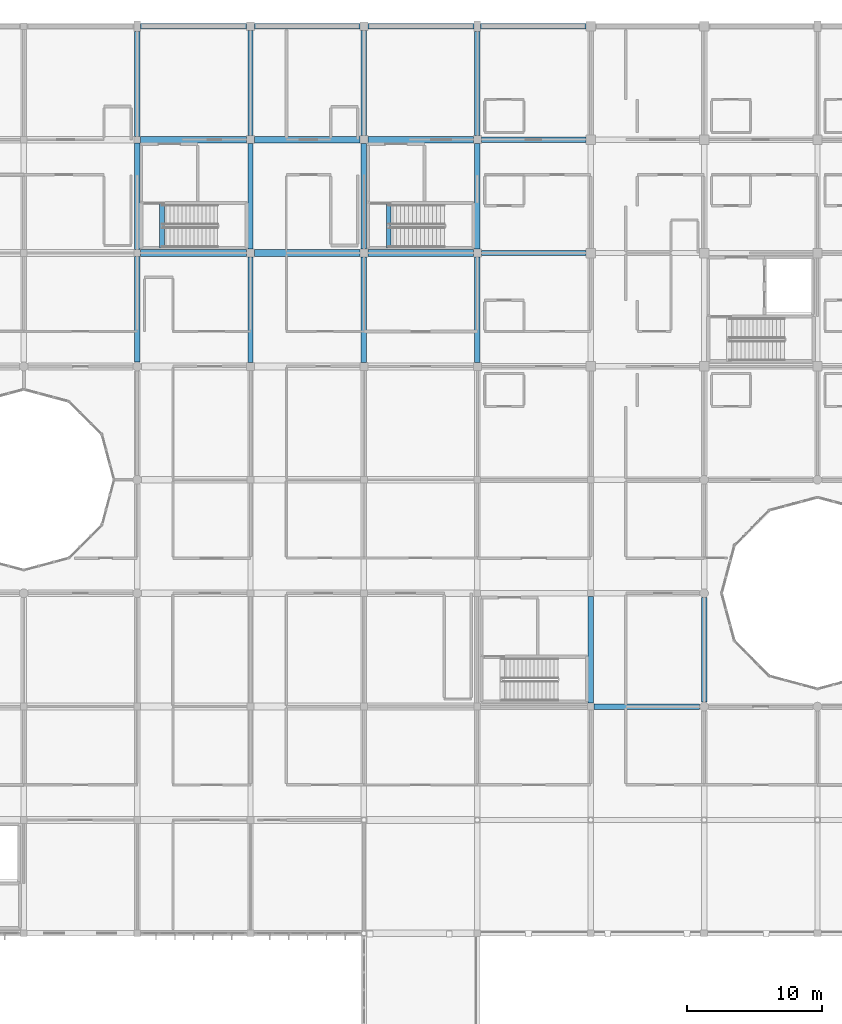
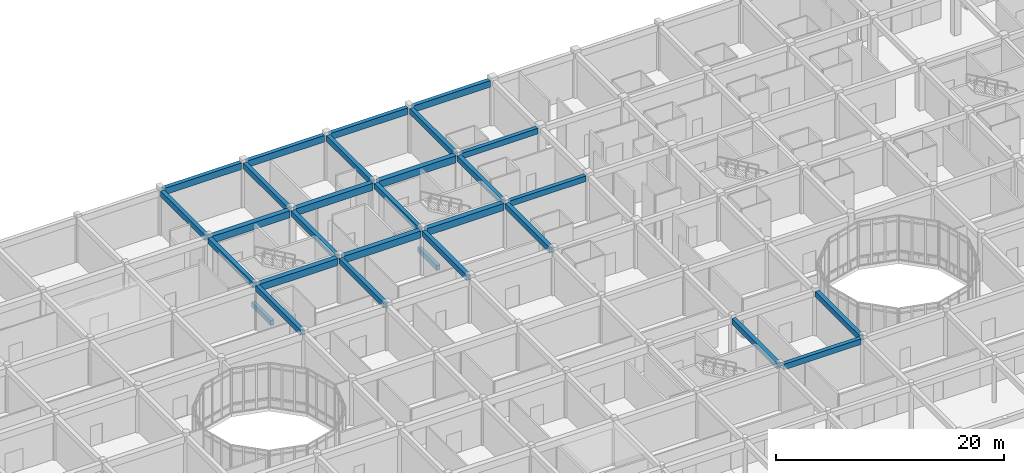
# One storey, part 41 of 134: 29 beams.
"""IFC4 building model written with IfcOpenShell, lengths in metres."""

from ifc_helpers import new_model, si_unit, direction, frame, origin, origin_2d, place, context, subcontext, project, spatial, rectangle, extrude, material, material_profile, profile_set, type_object, element, save


model = new_model("IFC4")

# Units and contexts
model_context = context("Model", 3, precision=1e-05, world=origin(), true_north=direction((0.0, 1.0)))
body_context = subcontext(model_context, "Body", "Model", "MODEL_VIEW")
ifc_project = project(units=[si_unit("LENGTHUNIT", "METRE"), si_unit("AREAUNIT", "SQUARE_METRE"), si_unit("VOLUMEUNIT", "CUBIC_METRE"), si_unit("PLANEANGLEUNIT", "RADIAN"), si_unit("MASSUNIT", "GRAM", prefix="KILO")], contexts=[model_context])

# Site, building, storey
site_placement = place(None, origin())
site = spatial("IfcSite", under=ifc_project, at=site_placement, CompositionType="ELEMENT")
building_placement = place(site_placement, origin())
building = spatial("IfcBuilding", under=site, at=building_placement, Name="Bramfleet General Hospital", CompositionType="ELEMENT")
storey_placement = place(building_placement, frame((0.0, 0.0, 9.300048828125)))
storey = spatial("IfcBuildingStorey", under=building, at=storey_placement, Name="L02", CompositionType="ELEMENT", Elevation=9.300048828125)

# Beams
ifc_material = material(Name="Concrete C35/45", Category="concrete")
ifc_material_profile_1 = material_profile(ifc_material, rectangle(XDim=0.35009765625, YDim=0.550048828125, at=origin_2d()), Name="RC BM 550x350")
ifc_profile_set_1 = profile_set([ifc_material_profile_1], Name="Concrete C35/45")
beam_type_1 = type_object("IfcBeamType", Name="BM-RC550", PredefinedType="BEAM", material=ifc_profile_set_1)
for number, where, z_axis, x_axis, name in (
    (1, (35.43994140625, 101.179931640625, -0.275146484375), (0.0, 1.0, 0.0), (-1.0, 0.0, 0.0), "L02 C8 Stairwell Trimmer Beam"),
    (2, (52.239990234375, 101.179931640625, -0.275146484375), (0.0, 1.0, 0.0), (-1.0, 0.0, 0.0), "L02 C14 Stairwell Trimmer Beam"),
):
    element("IfcBeam", number, at=place(storey_placement, frame(where, z_axis=z_axis, x_axis=x_axis)), inside=storey, type_object=beam_type_1, Name=name, PredefinedType="BEAM", context=body_context, shape_type="SweptSolid", body=[
        extrude(rectangle(XDim=0.35009765625, YDim=0.550048828125, at=origin_2d()), origin(), (0.0, 0.0, 1.0), 3.320068359375),
    ])
ifc_material_profile_2 = material_profile(ifc_material, rectangle(XDim=0.39990234375, YDim=0.60009765625, at=origin_2d()), Name="RC BM 600x400")
ifc_profile_set_2 = profile_set([ifc_material_profile_2], Name="Concrete C35/45")
beam_type_2 = type_object("IfcBeamType", Name="BM-RC600", PredefinedType="BEAM", material=ifc_profile_set_2)
for number, where, z_axis, x_axis, name in (
    (3, (59.10009765625, 100.800048828125, 4.47998046875), (1.0, 0.0, 0.0), (0.0, 1.0, 0.0), "L02 Grid Beam X 07-12"),
    (4, (59.10009765625, 109.199951171875, 4.47998046875), (1.0, 0.0, 0.0), (0.0, 1.0, 0.0), "L02 Grid Beam X 07-13"),
):
    element("IfcBeam", number, at=place(storey_placement, frame(where, z_axis=z_axis, x_axis=x_axis)), inside=storey, type_object=beam_type_2, Name=name, PredefinedType="BEAM", context=body_context, shape_type="SweptSolid", body=[
        extrude(rectangle(XDim=0.39990234375, YDim=0.60009765625, at=origin_2d()), origin(), (0.0, 0.0, 1.0), 7.75),
    ])
for number, where, z_axis, x_axis, name in (
    (5, (67.449951171875, 67.199951171875, 4.47998046875), (1.0, 0.0, 0.0), (0.0, 1.0, 0.0), "L02 Grid Beam X 08-08"),
    (6, (33.60009765625, 92.72509765625, 4.47998046875), (0.0, 1.0, 0.0), (-1.0, 0.0, 0.0), "L02 Grid Beam Y 04-11"),
):
    element("IfcBeam", number, at=place(storey_placement, frame(where, z_axis=z_axis, x_axis=x_axis)), inside=storey, type_object=beam_type_2, Name=name, PredefinedType="BEAM", context=body_context, shape_type="SweptSolid", body=[
        extrude(rectangle(XDim=0.39990234375, YDim=0.60009765625, at=origin_2d()), origin(), (0.0, 0.0, 1.0), 7.824951171875),
    ])
beam_1_placement = place(storey_placement, frame((33.60009765625, 101.050048828125, 4.47998046875), z_axis=(0.0, 1.0, 0.0), x_axis=(-1.0, 0.0, 0.0)))
element("IfcBeam", 7, at=beam_1_placement, inside=storey, type_object=beam_type_2, Name="L02 Grid Beam Y 04-12", PredefinedType="BEAM", context=body_context, shape_type="SweptSolid", body=[
    extrude(rectangle(XDim=0.39990234375, YDim=0.60009765625, at=origin_2d()), origin(), (0.0, 0.0, 1.0), 7.89990234375),
])
beam_2_placement = place(storey_placement, frame((33.60009765625, 109.449951171875, 4.47998046875), z_axis=(0.0, 1.0, 0.0), x_axis=(-1.0, 0.0, 0.0)))
element("IfcBeam", 8, at=beam_2_placement, inside=storey, type_object=beam_type_2, Name="L02 Grid Beam Y 04-13", PredefinedType="BEAM", context=body_context, shape_type="SweptSolid", body=[
    extrude(rectangle(XDim=0.39990234375, YDim=0.60009765625, at=origin_2d()), origin(), (0.0, 0.0, 1.0), 7.775146484375),
])
beam_3_placement = place(storey_placement, frame((42.0, 92.699951171875, 4.47998046875), z_axis=(0.0, 1.0, 0.0), x_axis=(-1.0, 0.0, 0.0)))
element("IfcBeam", 9, at=beam_3_placement, inside=storey, type_object=beam_type_2, Name="L02 Grid Beam Y 05-11", PredefinedType="BEAM", context=body_context, shape_type="SweptSolid", body=[
    extrude(rectangle(XDim=0.39990234375, YDim=0.60009765625, at=origin_2d()), origin(), (0.0, 0.0, 1.0), 7.800048828125),
])
beam_4_placement = place(storey_placement, frame((42.0, 101.10009765625, 4.47998046875), z_axis=(0.0, 1.0, 0.0), x_axis=(-1.0, 0.0, 0.0)))
element("IfcBeam", 10, at=beam_4_placement, inside=storey, type_object=beam_type_2, Name="L02 Grid Beam Y 05-12", PredefinedType="BEAM", context=body_context, shape_type="SweptSolid", body=[
    extrude(rectangle(XDim=0.39990234375, YDim=0.60009765625, at=origin_2d()), origin(), (0.0, 0.0, 1.0), 7.7998046875),
])
for number, where, z_axis, x_axis, name in (
    (11, (42.0, 109.5, 4.47998046875), (0.0, 1.0, 0.0), (-1.0, 0.0, 0.0), "L02 Grid Beam Y 05-13"),
    (12, (50.39990234375, 92.699951171875, 4.47998046875), (0.0, 1.0, 0.0), (-1.0, 0.0, 0.0), "L02 Grid Beam Y 06-11"),
):
    element("IfcBeam", number, at=place(storey_placement, frame(where, z_axis=z_axis, x_axis=x_axis)), inside=storey, type_object=beam_type_2, Name=name, PredefinedType="BEAM", context=body_context, shape_type="SweptSolid", body=[
        extrude(rectangle(XDim=0.39990234375, YDim=0.60009765625, at=origin_2d()), origin(), (0.0, 0.0, 1.0), 7.800048828125),
    ])
beam_5_placement = place(storey_placement, frame((50.39990234375, 101.10009765625, 4.47998046875), z_axis=(0.0, 1.0, 0.0), x_axis=(-1.0, 0.0, 0.0)))
element("IfcBeam", 13, at=beam_5_placement, inside=storey, type_object=beam_type_2, Name="L02 Grid Beam Y 06-12", PredefinedType="BEAM", context=body_context, shape_type="SweptSolid", body=[
    extrude(rectangle(XDim=0.39990234375, YDim=0.60009765625, at=origin_2d()), origin(), (0.0, 0.0, 1.0), 7.7998046875),
])
for number, where, z_axis, x_axis, name in (
    (14, (50.39990234375, 109.5, 4.47998046875), (0.0, 1.0, 0.0), (-1.0, 0.0, 0.0), "L02 Grid Beam Y 06-13"),
    (15, (58.800048828125, 92.699951171875, 4.47998046875), (0.0, 1.0, 0.0), (-1.0, 0.0, 0.0), "L02 Grid Beam Y 07-11"),
):
    element("IfcBeam", number, at=place(storey_placement, frame(where, z_axis=z_axis, x_axis=x_axis)), inside=storey, type_object=beam_type_2, Name=name, PredefinedType="BEAM", context=body_context, shape_type="SweptSolid", body=[
        extrude(rectangle(XDim=0.39990234375, YDim=0.60009765625, at=origin_2d()), origin(), (0.0, 0.0, 1.0), 7.800048828125),
    ])
beam_6_placement = place(storey_placement, frame((58.800048828125, 101.10009765625, 4.47998046875), z_axis=(0.0, 1.0, 0.0), x_axis=(-1.0, 0.0, 0.0)))
element("IfcBeam", 16, at=beam_6_placement, inside=storey, type_object=beam_type_2, Name="L02 Grid Beam Y 07-12", PredefinedType="BEAM", context=body_context, shape_type="SweptSolid", body=[
    extrude(rectangle(XDim=0.39990234375, YDim=0.60009765625, at=origin_2d()), origin(), (0.0, 0.0, 1.0), 7.7998046875),
])
beam_7_placement = place(storey_placement, frame((58.800048828125, 109.5, 4.47998046875), z_axis=(0.0, 1.0, 0.0), x_axis=(-1.0, 0.0, 0.0)))
element("IfcBeam", 17, at=beam_7_placement, inside=storey, type_object=beam_type_2, Name="L02 Grid Beam Y 07-13", PredefinedType="BEAM", context=body_context, shape_type="SweptSolid", body=[
    extrude(rectangle(XDim=0.39990234375, YDim=0.60009765625, at=origin_2d()), origin(), (0.0, 0.0, 1.0), 7.72509765625),
])
beam_8_placement = place(storey_placement, frame((67.199951171875, 67.449951171875, 4.47998046875), z_axis=(0.0, 1.0, 0.0), x_axis=(-1.0, 0.0, 0.0)))
element("IfcBeam", 18, at=beam_8_placement, inside=storey, type_object=beam_type_2, Name="L02 Grid Beam Y 08-08", PredefinedType="BEAM", context=body_context, shape_type="SweptSolid", body=[
    extrude(rectangle(XDim=0.39990234375, YDim=0.60009765625, at=origin_2d()), origin(), (0.0, 0.0, 1.0), 7.900146484375),
])
beam_9_placement = place(storey_placement, frame((75.60009765625, 67.52490234375, 4.47998046875), z_axis=(0.0, 1.0, 0.0), x_axis=(-1.0, 0.0, 0.0)))
element("IfcBeam", 19, at=beam_9_placement, inside=storey, type_object=beam_type_2, Name="L02 Grid Beam Y 09-08", PredefinedType="BEAM", context=body_context, shape_type="SweptSolid", body=[
    extrude(rectangle(XDim=0.39990234375, YDim=0.60009765625, at=origin_2d()), origin(), (0.0, 0.0, 1.0), 7.75),
])
ifc_material_profile_3 = material_profile(ifc_material, rectangle(XDim=0.5, YDim=0.75, at=origin_2d()), Name="RC BM 750x500")
ifc_profile_set_3 = profile_set([ifc_material_profile_3], Name="Concrete C35/45")
beam_type_3 = type_object("IfcBeamType", Name="BM-RC750", PredefinedType="BEAM", material=ifc_profile_set_3)
for number, where, z_axis, x_axis, name in (
    (20, (33.85009765625, 100.800048828125, 4.405029296875), (1.0, 0.0, 0.0), (0.0, 1.0, 0.0), "L02 Grid Beam X 04-12"),
    (21, (33.85009765625, 109.199951171875, 4.405029296875), (1.0, 0.0, 0.0), (0.0, 1.0, 0.0), "L02 Grid Beam X 04-13"),
):
    element("IfcBeam", number, at=place(storey_placement, frame(where, z_axis=z_axis, x_axis=x_axis)), inside=storey, type_object=beam_type_3, Name=name, PredefinedType="BEAM", context=body_context, shape_type="SweptSolid", body=[
        extrude(rectangle(XDim=0.5, YDim=0.75, at=origin_2d()), origin(), (0.0, 0.0, 1.0), 7.849853515625),
    ])
for number, where, z_axis, x_axis, name in (
    (22, (42.300048828125, 100.800048828125, 4.405029296875), (1.0, 0.0, 0.0), (0.0, 1.0, 0.0), "L02 Grid Beam X 05-12"),
    (23, (42.300048828125, 109.199951171875, 4.405029296875), (1.0, 0.0, 0.0), (0.0, 1.0, 0.0), "L02 Grid Beam X 05-13"),
    (24, (50.699951171875, 100.800048828125, 4.405029296875), (1.0, 0.0, 0.0), (0.0, 1.0, 0.0), "L02 Grid Beam X 06-12"),
    (25, (50.699951171875, 109.199951171875, 4.405029296875), (1.0, 0.0, 0.0), (0.0, 1.0, 0.0), "L02 Grid Beam X 06-13"),
):
    element("IfcBeam", number, at=place(storey_placement, frame(where, z_axis=z_axis, x_axis=x_axis)), inside=storey, type_object=beam_type_3, Name=name, PredefinedType="BEAM", context=body_context, shape_type="SweptSolid", body=[
        extrude(rectangle(XDim=0.5, YDim=0.75, at=origin_2d()), origin(), (0.0, 0.0, 1.0), 7.800048828125),
    ])
ifc_material_profile_4 = material_profile(ifc_material, rectangle(XDim=0.39990234375, YDim=0.699951171875, at=origin_2d()), Name="RC SP 700x400")
ifc_profile_set_4 = profile_set([ifc_material_profile_4], Name="Concrete C35/45")
beam_type_4 = type_object("IfcBeamType", Name="BM-SP700", PredefinedType="SPANDREL", material=ifc_profile_set_4)
beam_10_placement = place(storey_placement, frame((33.85009765625, 117.60009765625, 4.429931640625), z_axis=(1.0, 0.0, 0.0), x_axis=(0.0, 1.0, 0.0)))
element("IfcBeam", 26, at=beam_10_placement, inside=storey, type_object=beam_type_4, Name="L02 Grid Beam X 04-14", PredefinedType="SPANDREL", context=body_context, shape_type="SweptSolid", body=[
    extrude(rectangle(XDim=0.39990234375, YDim=0.699951171875, at=origin_2d()), origin(), (0.0, 0.0, 1.0), 7.849853515625),
])
beam_11_placement = place(storey_placement, frame((42.300048828125, 117.60009765625, 4.429931640625), z_axis=(1.0, 0.0, 0.0), x_axis=(0.0, 1.0, 0.0)))
element("IfcBeam", 27, at=beam_11_placement, inside=storey, type_object=beam_type_4, Name="L02 Grid Beam X 05-14", PredefinedType="SPANDREL", context=body_context, shape_type="SweptSolid", body=[
    extrude(rectangle(XDim=0.39990234375, YDim=0.699951171875, at=origin_2d()), origin(), (0.0, 0.0, 1.0), 7.800048828125),
])
beam_12_placement = place(storey_placement, frame((50.699951171875, 117.60009765625, 4.429931640625), z_axis=(1.0, 0.0, 0.0), x_axis=(0.0, 1.0, 0.0)))
element("IfcBeam", 28, at=beam_12_placement, inside=storey, type_object=beam_type_4, Name="L02 Grid Beam X 06-14", PredefinedType="SPANDREL", context=body_context, shape_type="SweptSolid", body=[
    extrude(rectangle(XDim=0.39990234375, YDim=0.699951171875, at=origin_2d()), origin(), (0.0, 0.0, 1.0), 7.85009765625),
])
beam_13_placement = place(storey_placement, frame((59.050048828125, 117.60009765625, 4.429931640625), z_axis=(1.0, 0.0, 0.0), x_axis=(0.0, 1.0, 0.0)))
element("IfcBeam", 29, at=beam_13_placement, inside=storey, type_object=beam_type_4, Name="L02 Grid Beam X 07-14", PredefinedType="SPANDREL", context=body_context, shape_type="SweptSolid", body=[
    extrude(rectangle(XDim=0.39990234375, YDim=0.699951171875, at=origin_2d()), origin(), (0.0, 0.0, 1.0), 7.800048828125),
])

save(model, "model.ifc")
